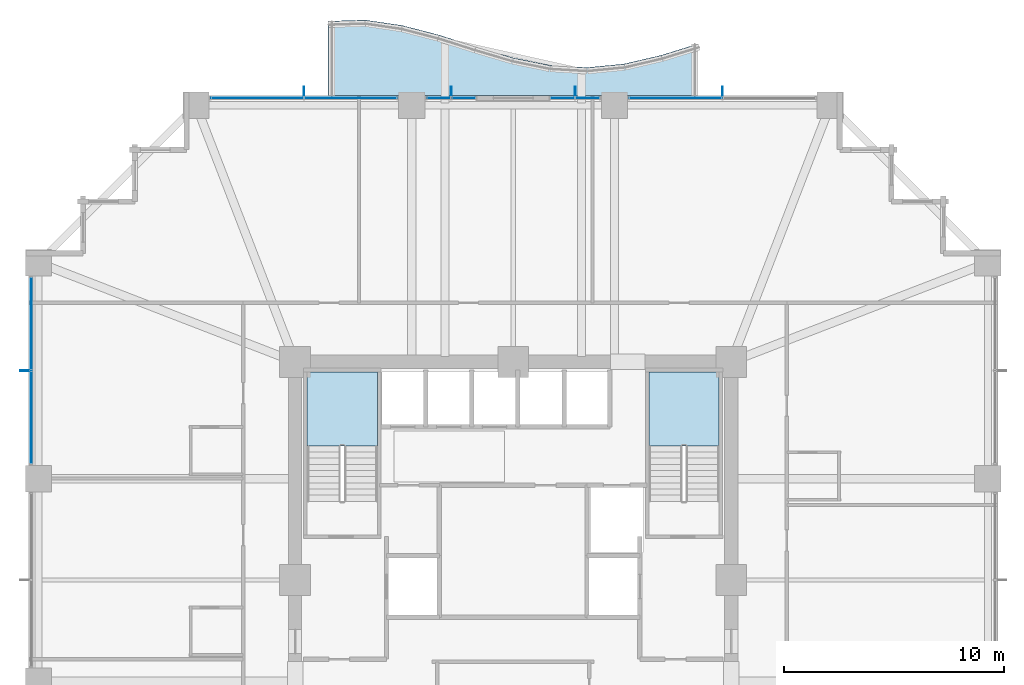
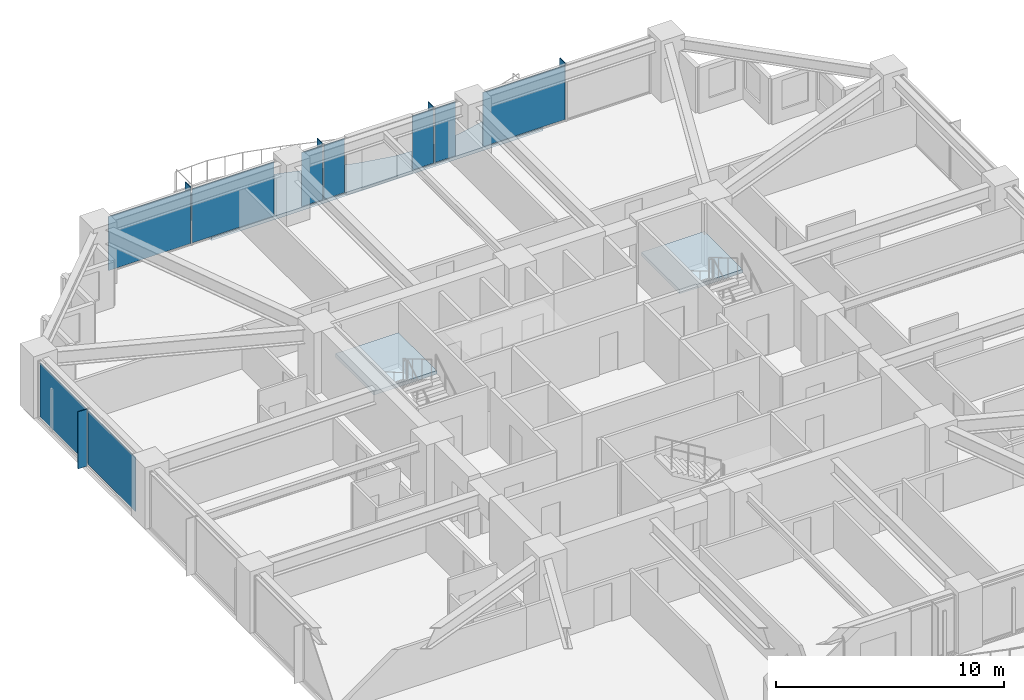
# One storey, part 30 of 38: 14 plates, 3 slabs, 7 elements without a shape of their own.
"""IFC4 building model written with IfcOpenShell, lengths in metres."""

from ifc_helpers import new_model, si_unit, direction, frame, origin, origin_2d, place, context, subcontext, project, spatial, polyline, rectangle, outline, extrude, material, layer, layer_set, type_object, element, aggregate, save


model = new_model("IFC4")

# Units and contexts
model_context = context("Model", 3, precision=1e-05, world=origin(), true_north=direction((0.0, 1.0)))
body_context = subcontext(model_context, "Body", "Model", "MODEL_VIEW")
ifc_project = project(units=[si_unit("LENGTHUNIT", "METRE"), si_unit("AREAUNIT", "SQUARE_METRE"), si_unit("VOLUMEUNIT", "CUBIC_METRE"), si_unit("PLANEANGLEUNIT", "RADIAN"), si_unit("MASSUNIT", "GRAM", prefix="KILO")], contexts=[model_context])

# Site, building, storey
site_placement = place(None, origin())
site = spatial("IfcSite", under=ifc_project, at=site_placement, CompositionType="ELEMENT")
building_placement = place(site_placement, origin())
building = spatial("IfcBuilding", under=site, at=building_placement, Name="Kolvaren Belvedere", CompositionType="ELEMENT")
storey_placement = place(building_placement, frame((0.0, 0.0, 27.10009765625)))
storey = spatial("IfcBuildingStorey", under=building, at=storey_placement, Name="L07", CompositionType="ELEMENT", Elevation=27.10009765625)

# Curtain wall, plates
ifc_material_1 = material(Name="Anodised pale-metal aluminium AA 6063-T6", Category="aluminium")
curtain_wall_type = type_object("IfcCurtainWallType", Name="CW-Z1-LOW", PredefinedType="NOTDEFINED", material=ifc_material_1)
curtain_wall_1_placement = place(storey_placement, origin())
curtain_wall_1 = element("IfcCurtainWall", 1, at=curtain_wall_1_placement, inside=storey, type_object=curtain_wall_type, Name="L07 Unitised Curtain Wall FCW-L07-N1-B1", PredefinedType="NOTDEFINED")
ifc_material_2 = material(Name="Low-iron triple insulated glass", Category="glass")
ifc_layer_1 = layer(ifc_material_2, 0.028076171875)
ifc_layer_set_1 = layer_set([ifc_layer_1], Name="Low-iron triple insulated glass")
plate_type_1 = type_object("IfcPlateType", Name="CW-PNL-VIS28", PredefinedType="CURTAIN_PANEL", material=ifc_layer_set_1)
plate_1_placement = place(storey_placement, frame((-11.62255859375, 21.8798828125, 0.079833984375), z_axis=(0.0, 0.0, 1.0), x_axis=(1.0, 0.0, 0.0)))
plate_1 = element("IfcPlate", 2, at=plate_1_placement, type_object=plate_type_1, Name="FCW-L07-N1-B1 Vision Glazing Panel 1", PredefinedType="CURTAIN_PANEL", context=body_context, shape_type="SweptSolid", body=[
    extrude(rectangle(XDim=4.1650390625, YDim=0.028076171875, at=origin_2d()), origin(), (0.0, 0.0, 1.0), 2.89990234375),
])
plate_2_placement = place(storey_placement, frame((-7.37744140625, 21.8798828125, 0.079833984375), z_axis=(0.0, 0.0, 1.0), x_axis=(1.0, 0.0, 0.0)))
plate_2 = element("IfcPlate", 3, at=plate_2_placement, type_object=plate_type_1, Name="FCW-L07-N1-B1 Vision Glazing Panel 2", PredefinedType="CURTAIN_PANEL", context=body_context, shape_type="SweptSolid", body=[
    extrude(rectangle(XDim=4.1650390625, YDim=0.028076171875, at=origin_2d()), origin(), (0.0, 0.0, 1.0), 2.89990234375),
])
aggregate(curtain_wall_1, [plate_1, plate_2])

curtain_wall_2_placement = place(storey_placement, origin())
curtain_wall_2 = element("IfcCurtainWall", 4, at=curtain_wall_2_placement, inside=storey, type_object=curtain_wall_type, Name="L07 Unitised Curtain Wall FCW-L07-N1-B2", PredefinedType="NOTDEFINED")
plate_3_placement = place(storey_placement, frame((-3.37890625, 21.8798828125, 0.079833984375), z_axis=(0.0, 0.0, 1.0), x_axis=(1.0, 0.0, 0.0)))
plate_3 = element("IfcPlate", 5, at=plate_3_placement, type_object=plate_type_1, Name="FCW-L07-N1-B2 Vision Glazing Panel 1", PredefinedType="CURTAIN_PANEL", context=body_context, shape_type="SweptSolid", body=[
    extrude(rectangle(XDim=1.052490234375, YDim=0.028076171875, at=origin_2d()), origin(), (0.0, 0.0, 1.0), 2.89990234375),
])
plate_4_placement = place(storey_placement, frame((-2.24609375, 21.8798828125, 0.079833984375), z_axis=(0.0, 0.0, 1.0), x_axis=(1.0, 0.0, 0.0)))
plate_4 = element("IfcPlate", 6, at=plate_4_placement, type_object=plate_type_1, Name="FCW-L07-N1-B2 Vision Glazing Panel 2", PredefinedType="CURTAIN_PANEL", context=body_context, shape_type="SweptSolid", body=[
    extrude(rectangle(XDim=1.052490234375, YDim=0.028076171875, at=origin_2d()), origin(), (0.0, 0.0, 1.0), 2.89990234375),
])
aggregate(curtain_wall_2, [plate_3, plate_4])

curtain_wall_3_placement = place(storey_placement, origin())
curtain_wall_3 = element("IfcCurtainWall", 7, at=curtain_wall_3_placement, inside=storey, type_object=curtain_wall_type, Name="L07 Unitised Curtain Wall FCW-L07-N2-B1", PredefinedType="NOTDEFINED")
plate_5_placement = place(storey_placement, frame((2.24609375, 21.8798828125, 0.079833984375), z_axis=(0.0, 0.0, 1.0), x_axis=(1.0, 0.0, 0.0)))
plate_5 = element("IfcPlate", 8, at=plate_5_placement, type_object=plate_type_1, Name="FCW-L07-N2-B1 Vision Glazing Panel 1", PredefinedType="CURTAIN_PANEL", context=body_context, shape_type="SweptSolid", body=[
    extrude(rectangle(XDim=1.052490234375, YDim=0.028076171875, at=origin_2d()), origin(), (0.0, 0.0, 1.0), 2.89990234375),
])
plate_6_placement = place(storey_placement, frame((3.378662109375, 21.8798828125, 0.079833984375), z_axis=(0.0, 0.0, 1.0), x_axis=(1.0, 0.0, 0.0)))
plate_6 = element("IfcPlate", 9, at=plate_6_placement, type_object=plate_type_1, Name="FCW-L07-N2-B1 Vision Glazing Panel 2", PredefinedType="CURTAIN_PANEL", context=body_context, shape_type="SweptSolid", body=[
    extrude(rectangle(XDim=1.052490234375, YDim=0.028076171875, at=origin_2d()), origin(), (0.0, 0.0, 1.0), 2.89990234375),
])
aggregate(curtain_wall_3, [plate_5, plate_6])

# Curtain wall, plate
curtain_wall_4_placement = place(storey_placement, origin())
curtain_wall_4 = element("IfcCurtainWall", 10, at=curtain_wall_4_placement, inside=storey, type_object=curtain_wall_type, Name="L07 Unitised Curtain Wall FCW-L07-N2-B2", PredefinedType="NOTDEFINED")
plate_7_placement = place(storey_placement, frame((7.37744140625, 21.8798828125, 0.079833984375), z_axis=(0.0, 0.0, 1.0), x_axis=(1.0, 0.0, 0.0)))
plate_7 = element("IfcPlate", 11, at=plate_7_placement, type_object=plate_type_1, Name="FCW-L07-N2-B2 Vision Glazing Panel 1", PredefinedType="CURTAIN_PANEL", context=body_context, shape_type="SweptSolid", body=[
    extrude(rectangle(XDim=4.1650390625, YDim=0.028076171875, at=origin_2d()), origin(), (0.0, 0.0, 1.0), 2.89990234375),
])
aggregate(curtain_wall_4, [plate_7])

# Curtain wall, plates
curtain_wall_5_placement = place(storey_placement, origin())
curtain_wall_5 = element("IfcCurtainWall", 12, at=curtain_wall_5_placement, inside=storey, type_object=curtain_wall_type, Name="L07 Unitised Curtain Wall FCW-L07-W-B3", PredefinedType="NOTDEFINED")
plate_8_placement = place(storey_placement, frame((-21.8798828125, 7.37744140625, 0.079833984375), z_axis=(0.0, 0.0, 1.0), x_axis=(0.0, 1.0, 0.0)))
plate_8 = element("IfcPlate", 13, at=plate_8_placement, type_object=plate_type_1, Name="FCW-L07-W-B3 Vision Glazing Panel 1", PredefinedType="CURTAIN_PANEL", context=body_context, shape_type="SweptSolid", body=[
    extrude(rectangle(XDim=4.1650390625, YDim=0.028076171875, at=origin_2d()), origin(), (0.0, 0.0, 1.0), 2.89990234375),
])
plate_9_placement = place(storey_placement, frame((-21.8798828125, 11.62255859375, 0.079833984375), z_axis=(0.0, 0.0, 1.0), x_axis=(0.0, 1.0, 0.0)))
plate_9 = element("IfcPlate", 14, at=plate_9_placement, type_object=plate_type_1, Name="FCW-L07-W-B3 Vision Glazing Panel 2", PredefinedType="CURTAIN_PANEL", context=body_context, shape_type="SweptSolid", body=[
    extrude(rectangle(XDim=4.1650390625, YDim=0.028076171875, at=origin_2d()), origin(), (0.0, 0.0, 1.0), 2.89990234375),
])
aggregate(curtain_wall_5, [plate_8, plate_9])

# Plates
ifc_material_3 = material(Name="Anodised pale-metal aluminium AA 6063-T6", Category="aluminium")
ifc_layer_2 = layer(ifc_material_3, 0.0380859375)
ifc_layer_set_2 = layer_set([ifc_layer_2], Name="Anodised pale-metal aluminium AA 6063-T6")
plate_type_2 = type_object("IfcPlateType", Name="FIN-VERT-450", PredefinedType="USERDEFINED", material=ifc_layer_set_2)
for number, where, z_axis, x_axis, name in (
    (15, (-9.5, 22.1650390625, -0.000244140625), (0.0, 0.0, 1.0), (0.0, 1.0, 0.0), "L07 Pale-Metal Vertical Shading Fin FCW-L07-N1-B1-1"),
    (16, (-2.8125, 22.1650390625, -0.000244140625), (0.0, 0.0, 1.0), (0.0, 1.0, 0.0), "L07 Pale-Metal Vertical Shading Fin FCW-L07-N1-B2-1"),
    (17, (2.8125, 22.1650390625, -0.000244140625), (0.0, 0.0, 1.0), (0.0, 1.0, 0.0), "L07 Pale-Metal Vertical Shading Fin FCW-L07-N2-B1-1"),
    (18, (9.5, 22.1650390625, -0.000244140625), (0.0, 0.0, 1.0), (0.0, 1.0, 0.0), "L07 Pale-Metal Vertical Shading Fin FCW-L07-N2-B2-1"),
    (19, (-22.1650390625, 9.5, -0.000244140625), (0.0, 0.0, 1.0), (1.0, 0.0, 0.0), "L07 Pale-Metal Vertical Shading Fin FCW-L07-W-B3-1"),
):
    element("IfcPlate", number, at=place(storey_placement, frame(where, z_axis=z_axis, x_axis=x_axis)), inside=storey, type_object=plate_type_2, Name=name, ObjectType="VERTICAL FIN", PredefinedType="USERDEFINED", context=body_context, shape_type="SweptSolid", body=[
        extrude(rectangle(XDim=0.449951171875, YDim=0.0380859375, at=origin_2d()), origin(), (0.0, 0.0, 1.0), 3.06005859375),
    ])

# Slab
ifc_material_4 = material(Name="Concrete C50/60", Category="concrete")
ifc_layer_3 = layer(ifc_material_4, 0.179931640625)
ifc_layer_set_3 = layer_set([ifc_layer_3], Name="Concrete C50/60")
slab_type_1 = type_object("IfcSlabType", Name="SL-BAL-180", PredefinedType="FLOOR", material=ifc_layer_set_3)
slab_1_placement = place(storey_placement, frame((0.0, 0.0, -0.239990234375)))
element("IfcSlab", 20, at=slab_1_placement, inside=storey, type_object=slab_type_1, Name="L07 Planted Balcony BAL-N", PredefinedType="FLOOR", context=body_context, shape_type="SweptSolid", body=[
    extrude(outline(polyline([(-8.39990234375, 22.0), (-6.719970703125, 22.0), (-5.0400390625, 22.0), (-3.360107421875, 22.0), (-1.679931640625, 22.0), (0.0, 22.0), (1.679931640625, 22.0), (3.360107421875, 22.0), (5.0400390625, 22.0), (6.719970703125, 22.0), (8.39990234375, 22.0), (8.39990234375, 24.340087890625), (6.719970703125, 23.819580078125), (5.0400390625, 23.427978515625), (3.360107421875, 23.26220703125), (1.679931640625, 23.36279296875), (0.0, 23.705078125), (-1.679931640625, 24.20458984375), (-3.360107421875, 24.737548828125), (-5.0400390625, 25.172119140625), (-6.719970703125, 25.419921875), (-8.39990234375, 25.3671875), (-8.39990234375, 22.0)])), origin(), (0.0, 0.0, 1.0), 0.179931640625),
])

# Stair, slab
ifc_material_5 = material(Name="Concrete C50/60", Category="concrete")
stair_type = type_object("IfcStairType", Name="ST-CORE-1520", PredefinedType="HALF_TURN_STAIR", material=ifc_material_5)
stair_1_placement = place(storey_placement, origin())
stair_1 = element("IfcStair", 21, at=stair_1_placement, inside=storey, type_object=stair_type, Name="L07 Protected Exit Stair ST-1", PredefinedType="HALF_TURN_STAIR")
ifc_material_6 = material(Name="Concrete C50/60", Category="concrete")
ifc_layer_4 = layer(ifc_material_6, 0.260009765625)
ifc_layer_set_4 = layer_set([ifc_layer_4], Name="Concrete C50/60")
slab_type_2 = type_object("IfcSlabType", Name="SL-LAND-260", PredefinedType="LANDING", material=ifc_layer_set_4)
slab_2_placement = place(storey_placement, frame((0.0, 0.0, 1.449951171875)))
slab_2 = element("IfcSlab", 22, at=slab_2_placement, type_object=slab_type_2, Name="ST-1 landing 1", PredefinedType="LANDING", context=body_context, shape_type="SweptSolid", body=[
    extrude(outline(polyline([(-6.159912109375, 6.090087890625), (-6.159912109375, 9.449951171875), (-9.35009765625, 9.449951171875), (-9.35009765625, 6.090087890625), (-6.159912109375, 6.090087890625)])), origin(), (0.0, 0.0, 1.0), 0.199951171875),
])
aggregate(stair_1, [slab_2])

stair_2_placement = place(storey_placement, origin())
stair_2 = element("IfcStair", 23, at=stair_2_placement, inside=storey, type_object=stair_type, Name="L07 Protected Exit Stair ST-2", PredefinedType="HALF_TURN_STAIR")
slab_3_placement = place(storey_placement, frame((0.0, 0.0, 1.449951171875)))
slab_3 = element("IfcSlab", 24, at=slab_3_placement, type_object=slab_type_2, Name="ST-2 landing 1", PredefinedType="LANDING", context=body_context, shape_type="SweptSolid", body=[
    extrude(outline(polyline([(9.35009765625, 6.090087890625), (9.35009765625, 9.449951171875), (6.159912109375, 9.449951171875), (6.159912109375, 6.090087890625), (9.35009765625, 6.090087890625)])), origin(), (0.0, 0.0, 1.0), 0.199951171875),
])
aggregate(stair_2, [slab_3])

save(model, "model.ifc")
